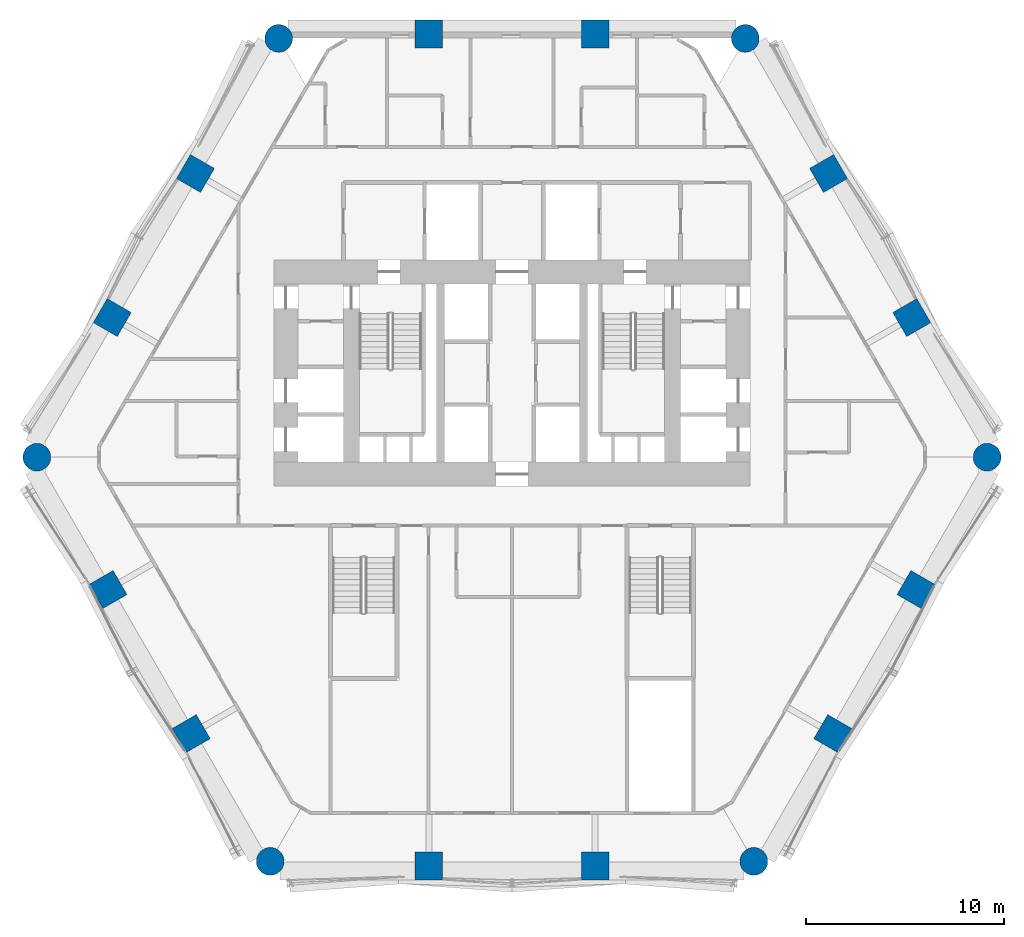
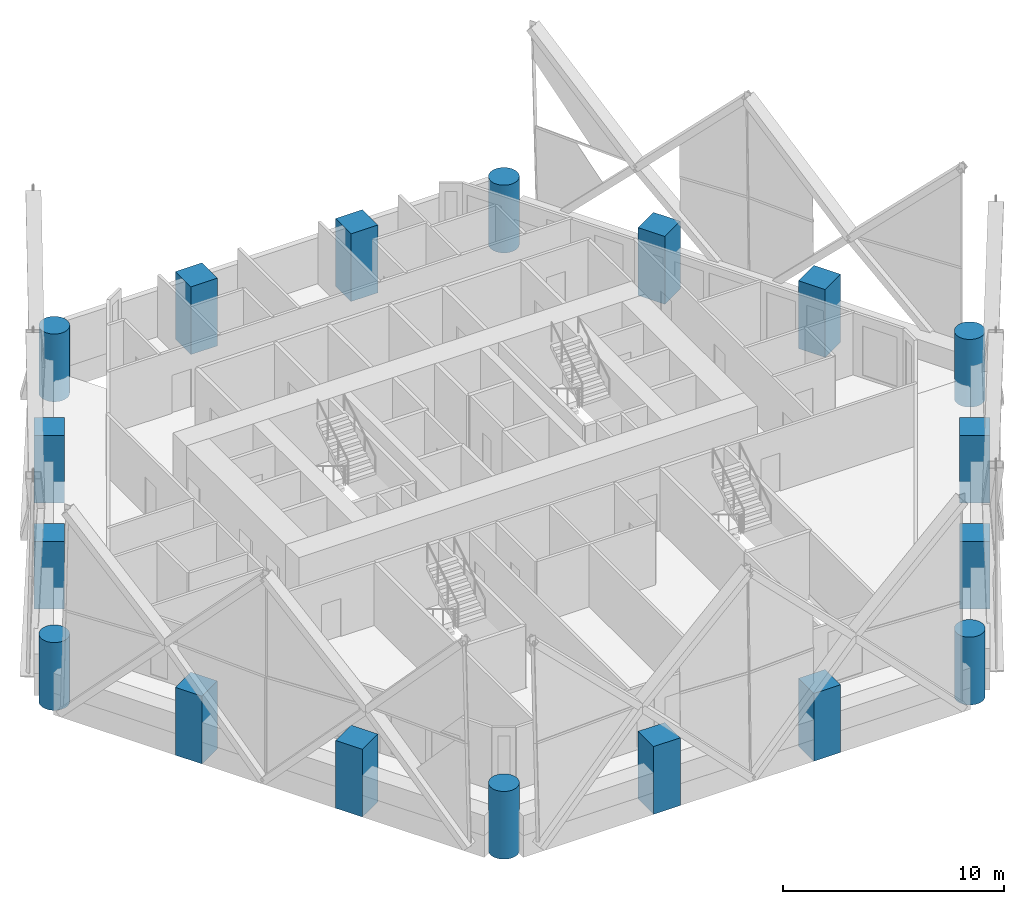
# One storey, part 1 of 22: 18 columns.
"""IFC4 building model written with IfcOpenShell, lengths in metres."""

from ifc_helpers import new_model, si_unit, direction, frame, origin, origin_2d, place, context, subcontext, project, spatial, rectangle, circle, extrude, material, material_profile, profile_set, type_object, element, save


model = new_model("IFC4")

# Units and contexts
model_context = context("Model", 3, precision=1e-05, world=origin(), true_north=direction((0.0, 1.0)))
body_context = subcontext(model_context, "Body", "Model", "MODEL_VIEW")
ifc_project = project(units=[si_unit("LENGTHUNIT", "METRE"), si_unit("AREAUNIT", "SQUARE_METRE"), si_unit("VOLUMEUNIT", "CUBIC_METRE"), si_unit("PLANEANGLEUNIT", "RADIAN"), si_unit("MASSUNIT", "GRAM", prefix="KILO")], contexts=[model_context])

# Site, building, storey
site_placement = place(None, origin())
site = spatial("IfcSite", under=ifc_project, at=site_placement, CompositionType="ELEMENT")
building_placement = place(site_placement, origin())
building = spatial("IfcBuilding", under=site, at=building_placement, Name="Ostrander Bayou Hotel Tower", CompositionType="ELEMENT")
storey_placement = place(building_placement, frame((0.0, 0.0, 46.75)))
storey = spatial("IfcBuildingStorey", under=building, at=storey_placement, Name="L11", CompositionType="ELEMENT", Elevation=46.75)

# Columns
ifc_material_1 = material(Name="Concrete f'c 70 MPa", Category="concrete")
ifc_material_profile_1 = material_profile(ifc_material_1, circle(Radius=0.699951171875, at=origin_2d()))
ifc_profile_set_1 = profile_set([ifc_material_profile_1], Name="Concrete f'c 70 MPa")
column_type_1 = type_object("IfcColumnType", Name="C1 round column 1400 mm f'c 70 MPa", PredefinedType="COLUMN", material=ifc_profile_set_1)
for number, where, z_axis, x_axis, name in (
    (1, (-11.76708984375, 20.872314453125, -1.199951171875), (0.0, 0.0, 1.0), (1.0, 0.0, 0.0), "C1 L11 K0"),
    (2, (-23.95947265625, -0.24560546875, -1.199951171875), (0.0, 0.0, 1.0), (1.0, 0.0, 0.0), "C1 L11 K1"),
    (3, (-12.1923828125, -20.626708984375, -1.199951171875), (0.0, 0.0, 1.0), (1.0, 0.0, 0.0), "C1 L11 K2"),
    (4, (12.1923828125, -20.626708984375, -1.199951171875), (0.0, 0.0, 1.0), (1.0, 0.0, 0.0), "C1 L11 K3"),
    (5, (23.95947265625, -0.24560546875, -1.199951171875), (0.0, 0.0, 1.0), (1.0, 0.0, 0.0), "C1 L11 K4"),
    (6, (11.76708984375, 20.872314453125, -1.199951171875), (0.0, 0.0, 1.0), (1.0, 0.0, 0.0), "C1 L11 K5"),
):
    element("IfcColumn", number, at=place(storey_placement, frame(where, z_axis=z_axis, x_axis=x_axis)), inside=storey, type_object=column_type_1, Name=name, PredefinedType="COLUMN", context=body_context, shape_type="SweptSolid", body=[
        extrude(circle(Radius=0.699951171875, at=origin_2d()), origin(), (0.0, 0.0, 1.0), 3.75),
    ])
ifc_material_2 = material(Name="Concrete f'c 70 MPa", Category="concrete")
ifc_material_profile_2 = material_profile(ifc_material_2, rectangle(XDim=1.39990234375, YDim=1.39990234375, at=origin_2d()))
ifc_profile_set_2 = profile_set([ifc_material_profile_2], Name="Concrete f'c 70 MPa")
column_type_2 = type_object("IfcColumnType", Name="C2 square column 1400 x 1400 mm f'c 70 MPa", PredefinedType="COLUMN", material=ifc_profile_set_2)
for number, where, z_axis, x_axis, name in (
    (7, (4.1953125, 21.10009765625, -1.199951171875), (0.0, 0.0, 1.0), (1.0, 0.0, 0.0), "C2 L11 N1"),
    (8, (-4.1953125, 21.10009765625, -1.199951171875), (0.0, 0.0, 1.0), (1.0, 0.0, 0.0), "C2 L11 N2"),
    (9, (-15.962890625, 14.060546875, -1.199951171875), (0.0, 0.0, 1.0), (0.5, 0.866025403784, 0.0), "C2 L11 NW1"),
    (10, (-20.158203125, 6.7939453125, -1.199951171875), (0.0, 0.0, 1.0), (0.5, 0.866025403784, 0.0), "C2 L11 NW2"),
    (11, (-20.370849609375, -6.916748046875, -1.199951171875), (0.0, 0.0, 1.0), (-0.5, 0.866025403784, 0.0), "C2 L11 SW1"),
    (12, (-16.17529296875, -14.183349609375, -1.199951171875), (0.0, 0.0, 1.0), (-0.5, 0.866025403784, 0.0), "C2 L11 SW2"),
    (13, (-4.1953125, -20.8544921875, -1.199951171875), (0.0, 0.0, 1.0), (-1.0, 0.0, 0.0), "C2 L11 S1"),
    (14, (4.1953125, -20.8544921875, -1.199951171875), (0.0, 0.0, 1.0), (-1.0, 0.0, 0.0), "C2 L11 S2"),
    (15, (16.17529296875, -14.183349609375, -1.199951171875), (0.0, 0.0, 1.0), (-0.5, -0.866025403784, 0.0), "C2 L11 SE1"),
    (16, (20.370849609375, -6.916748046875, -1.199951171875), (0.0, 0.0, 1.0), (-0.5, -0.866025403784, 0.0), "C2 L11 SE2"),
    (17, (20.158203125, 6.7939453125, -1.199951171875), (0.0, 0.0, 1.0), (0.5, -0.866025403784, 0.0), "C2 L11 NE1"),
    (18, (15.962890625, 14.060546875, -1.199951171875), (0.0, 0.0, 1.0), (0.5, -0.866025403784, 0.0), "C2 L11 NE2"),
):
    element("IfcColumn", number, at=place(storey_placement, frame(where, z_axis=z_axis, x_axis=x_axis)), inside=storey, type_object=column_type_2, Name=name, PredefinedType="COLUMN", context=body_context, shape_type="SweptSolid", body=[
        extrude(rectangle(XDim=1.39990234375, YDim=1.39990234375, at=origin_2d()), origin(), (0.0, 0.0, 1.0), 3.75),
    ])

save(model, "model.ifc")
